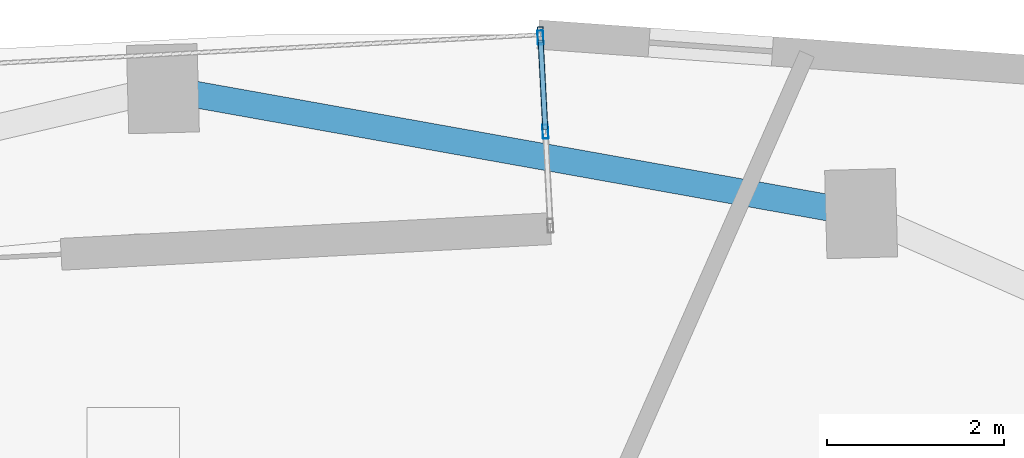
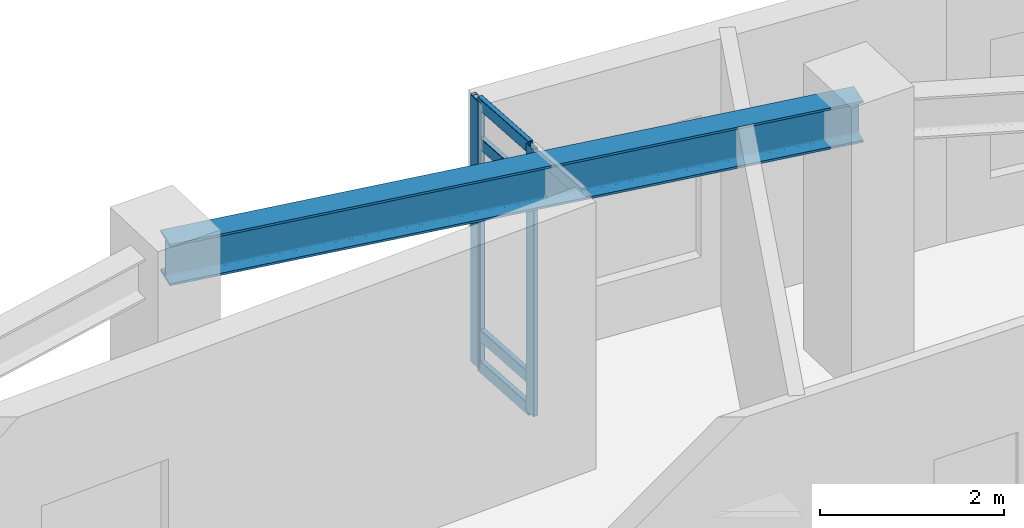
# One storey, part 3 of 11: 7 members, 1 beam, 1 element without a shape of its own.
"""IFC4 building model written with IfcOpenShell, lengths in metres."""

from ifc_helpers import new_model, si_unit, direction, frame, origin, origin_2d, place, context, subcontext, project, spatial, hollow_rectangle, i_section, extrude, material, layer, layer_set, material_profile, profile_set, type_object, element, aggregate, save


model = new_model("IFC4")

# Units and contexts
model_context = context("Model", 3, precision=1e-05, world=origin(), true_north=direction((0.0, 1.0)))
body_context = subcontext(model_context, "Body", "Model", "MODEL_VIEW")
ifc_project = project(units=[si_unit("LENGTHUNIT", "METRE"), si_unit("AREAUNIT", "SQUARE_METRE"), si_unit("VOLUMEUNIT", "CUBIC_METRE"), si_unit("PLANEANGLEUNIT", "RADIAN"), si_unit("MASSUNIT", "GRAM", prefix="KILO")], contexts=[model_context])

# Site, building, storey
site_placement = place(None, origin())
site = spatial("IfcSite", under=ifc_project, at=site_placement, CompositionType="ELEMENT")
building_placement = place(site_placement, origin())
building = spatial("IfcBuilding", under=site, at=building_placement, Name="Ndelora Gate Hotel", CompositionType="ELEMENT")
storey_placement = place(building_placement, frame((0.0, 0.0, 216.949951171875)))
storey = spatial("IfcBuildingStorey", under=building, at=storey_placement, Name="L54", CompositionType="ELEMENT", Elevation=216.949951171875)

# Beam
ifc_material_1 = material(Name="Steel S355", Category="steel")
ifc_material_profile_1 = material_profile(ifc_material_1, i_section(OverallWidth=0.300048828125, OverallDepth=0.550048828125, WebThickness=0.014892578125, FlangeThickness=0.029052734375, FilletRadius=0.027099609375, at=origin_2d()), Name="HEB 550")
ifc_profile_set_1 = profile_set([ifc_material_profile_1], Name="Steel S355")
beam_type = type_object("IfcBeamType", Name="BM-RING-550", PredefinedType="SPANDREL", material=ifc_profile_set_1)
beam_placement = place(storey_placement, frame((7.50830078125, 13.828369140625, 3.275146484375), z_axis=(-0.984373619655, 0.176092523767, 0.0), x_axis=(-0.176092523767, -0.984373619655, 0.0)))
element("IfcBeam", 1, at=beam_placement, inside=storey, type_object=beam_type, Name="L54 Perimeter Spandrel Girder 10", PredefinedType="SPANDREL", context=body_context, shape_type="SweptSolid", body=[
    extrude(i_section(OverallWidth=0.300048828125, OverallDepth=0.550048828125, WebThickness=0.014892578125, FlangeThickness=0.029052734375, FilletRadius=0.027099609375, at=origin_2d()), origin(), (0.0, 0.0, 1.0), 8.032958984375),
])

# Curtain wall, members
ifc_material_2 = material(Name="Bronze Anodised Unitised Aluminium and Low-E Glass", Category="aluminium")
ifc_layer = layer(ifc_material_2, 0.199951171875)
ifc_layer_set = layer_set([ifc_layer], Name="Bronze Anodised Unitised Aluminium and Low-E Glass")
curtain_wall_type = type_object("IfcCurtainWallType", Name="CW-SYS-3", PredefinedType="NOTDEFINED", material=ifc_layer_set)
curtain_wall_placement = place(storey_placement, origin())
curtain_wall = element("IfcCurtainWall", 2, at=curtain_wall_placement, inside=storey, type_object=curtain_wall_type, Name="L54 Sky-Garden Loggia Side Curtain Wall CW3-1", PredefinedType="NOTDEFINED")
ifc_material_3 = material(Name="Bronze Anodised Aluminium 6063-T6", Category="aluminium")
ifc_material_profile_2 = material_profile(ifc_material_3, hollow_rectangle(XDim=0.06494140625, YDim=0.159912109375, WallThickness=0.00390625, InnerFilletRadius=0.00390625, OuterFilletRadius=0.008056640625, at=origin_2d()), Name="ALU 160x65x4")
ifc_profile_set_2 = profile_set([ifc_material_profile_2], Name="Bronze Anodised Aluminium 6063-T6")
member_type_1 = type_object("IfcMemberType", Name="MB-CW-MUL150", PredefinedType="MULLION", material=ifc_profile_set_2)
member_1_placement = place(storey_placement, frame((3.93310546875, 14.756103515625, -0.00390625), z_axis=(0.0, 0.0, 1.0), x_axis=(-0.998630482257, -0.052317873695, 0.0)))
member_1 = element("IfcMember", 3, at=member_1_placement, type_object=member_type_1, Name="CW3 mullion 2", PredefinedType="MULLION", context=body_context, shape_type="SweptSolid", body=[
    extrude(hollow_rectangle(XDim=0.06494140625, YDim=0.159912109375, WallThickness=0.00390625, InnerFilletRadius=0.00390625, OuterFilletRadius=0.008056640625, at=origin_2d()), origin(), (0.0, 0.0, 1.0), 3.557861328125),
])
member_2_placement = place(storey_placement, frame((3.877197265625, 15.822021484375, -0.00390625), z_axis=(0.0, 0.0, 1.0), x_axis=(-0.998630482257, -0.052317873695, 0.0)))
member_2 = element("IfcMember", 4, at=member_2_placement, type_object=member_type_1, Name="CW3 mullion 3", PredefinedType="MULLION", context=body_context, shape_type="SweptSolid", body=[
    extrude(hollow_rectangle(XDim=0.06494140625, YDim=0.159912109375, WallThickness=0.00390625, InnerFilletRadius=0.00390625, OuterFilletRadius=0.008056640625, at=origin_2d()), origin(), (0.0, 0.0, 1.0), 3.557861328125),
])
ifc_material_profile_3 = material_profile(ifc_material_3, hollow_rectangle(XDim=0.070068359375, YDim=0.179931640625, WallThickness=0.0048828125, InnerFilletRadius=0.0048828125, OuterFilletRadius=0.010009765625, at=origin_2d()), Name="ALU 180x70x5")
ifc_profile_set_3 = profile_set([ifc_material_profile_3], Name="Bronze Anodised Aluminium 6063-T6")
member_type_2 = type_object("IfcMemberType", Name="MB-CW-MUL180", PredefinedType="MULLION", material=ifc_profile_set_3)
member_3_placement = place(storey_placement, frame((3.87548828125, 15.8544921875, 0.0), z_axis=(0.0, 0.0, 1.0), x_axis=(1.0, 0.0, 0.0)))
member_3 = element("IfcMember", 5, at=member_3_placement, type_object=member_type_2, Name="L54 Sky-Garden Loggia Corner Mullion Post 1", PredefinedType="MULLION", context=body_context, shape_type="SweptSolid", body=[
    extrude(hollow_rectangle(XDim=0.070068359375, YDim=0.179931640625, WallThickness=0.0048828125, InnerFilletRadius=0.0048828125, OuterFilletRadius=0.010009765625, at=origin_2d()), origin(), (0.0, 0.0, 1.0), 3.550048828125),
])
ifc_material_profile_4 = material_profile(ifc_material_3, hollow_rectangle(XDim=0.06494140625, YDim=0.159912109375, WallThickness=0.00390625, InnerFilletRadius=0.00390625, OuterFilletRadius=0.008056640625, at=origin_2d()), Name="ALU 160x65x4")
ifc_profile_set_4 = profile_set([ifc_material_profile_4], Name="Bronze Anodised Aluminium 6063-T6")
member_type_3 = type_object("IfcMemberType", Name="MB-CW-TRN150", PredefinedType="USERDEFINED", material=ifc_profile_set_4)
member_4_placement = place(storey_placement, frame((3.931884765625, 14.782470703125, 0.032470703125), z_axis=(-0.052457793968, 0.998623142057, 0.0), x_axis=(-0.998623142057, -0.052457793968, 0.0)))
member_4 = element("IfcMember", 6, at=member_4_placement, type_object=member_type_3, Name="CW3 transom 2.1", ObjectType="TRANSOM", PredefinedType="USERDEFINED", context=body_context, shape_type="SweptSolid", body=[
    extrude(hollow_rectangle(XDim=0.06494140625, YDim=0.159912109375, WallThickness=0.00390625, InnerFilletRadius=0.00390625, OuterFilletRadius=0.008056640625, at=origin_2d()), origin(), (0.0, 0.0, 1.0), 1.0146484375),
])
member_5_placement = place(storey_placement, frame((3.931884765625, 14.782470703125, 0.449951171875), z_axis=(-0.052457793968, 0.998623142057, 0.0), x_axis=(-0.998623142057, -0.052457793968, 0.0)))
member_5 = element("IfcMember", 7, at=member_5_placement, type_object=member_type_3, Name="CW3 transom 2.2", ObjectType="TRANSOM", PredefinedType="USERDEFINED", context=body_context, shape_type="SweptSolid", body=[
    extrude(hollow_rectangle(XDim=0.06494140625, YDim=0.159912109375, WallThickness=0.00390625, InnerFilletRadius=0.00390625, OuterFilletRadius=0.008056640625, at=origin_2d()), origin(), (0.0, 0.0, 1.0), 1.0146484375),
])
member_6_placement = place(storey_placement, frame((3.931884765625, 14.782470703125, 3.0), z_axis=(-0.052457793968, 0.998623142057, 0.0), x_axis=(-0.998623142057, -0.052457793968, 0.0)))
member_6 = element("IfcMember", 8, at=member_6_placement, type_object=member_type_3, Name="CW3 transom 2.3", ObjectType="TRANSOM", PredefinedType="USERDEFINED", context=body_context, shape_type="SweptSolid", body=[
    extrude(hollow_rectangle(XDim=0.06494140625, YDim=0.159912109375, WallThickness=0.00390625, InnerFilletRadius=0.00390625, OuterFilletRadius=0.008056640625, at=origin_2d()), origin(), (0.0, 0.0, 1.0), 1.0146484375),
])
member_7_placement = place(storey_placement, frame((3.931884765625, 14.782470703125, 3.517578125), z_axis=(-0.052457793968, 0.998623142057, 0.0), x_axis=(-0.998623142057, -0.052457793968, 0.0)))
member_7 = element("IfcMember", 9, at=member_7_placement, type_object=member_type_3, Name="CW3 transom 2.4", ObjectType="TRANSOM", PredefinedType="USERDEFINED", context=body_context, shape_type="SweptSolid", body=[
    extrude(hollow_rectangle(XDim=0.06494140625, YDim=0.159912109375, WallThickness=0.00390625, InnerFilletRadius=0.00390625, OuterFilletRadius=0.008056640625, at=origin_2d()), origin(), (0.0, 0.0, 1.0), 1.0146484375),
])
aggregate(curtain_wall, [member_1, member_2, member_4, member_5, member_6, member_7, member_3])

save(model, "model.ifc")
